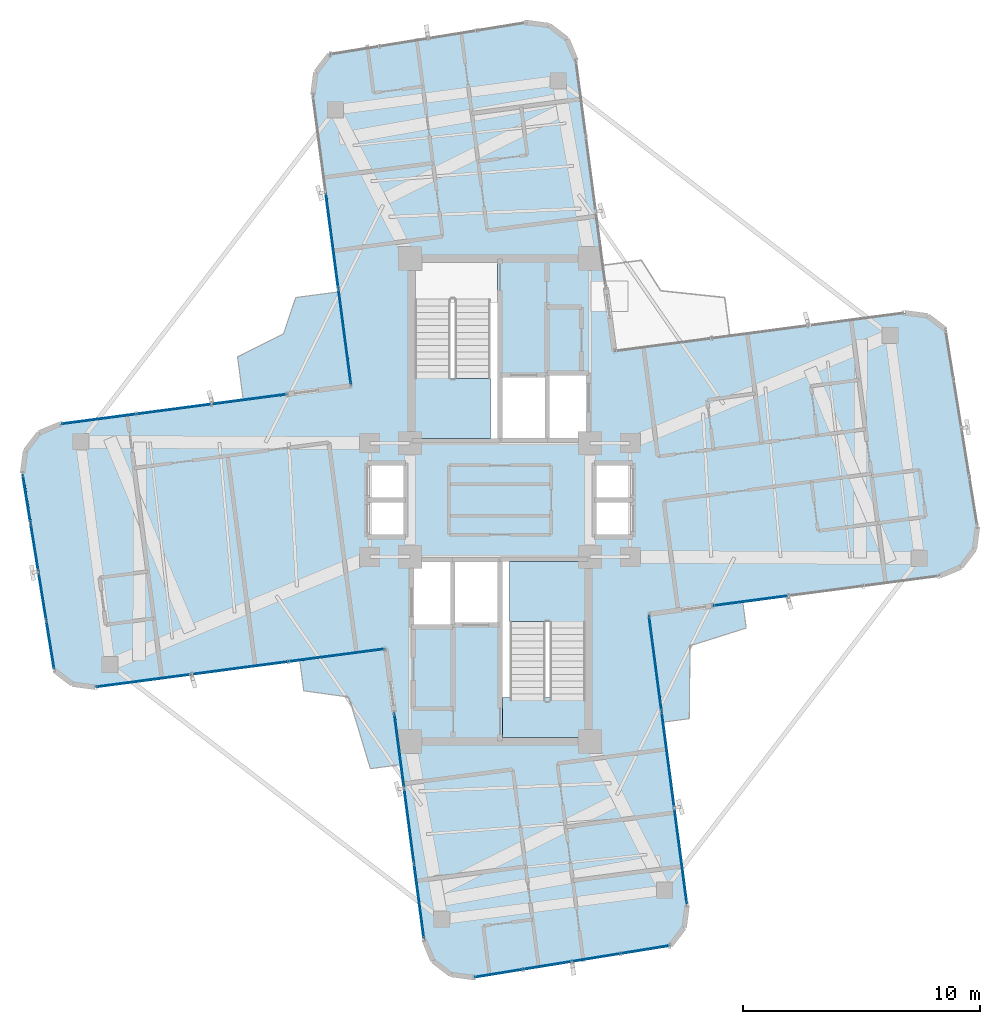
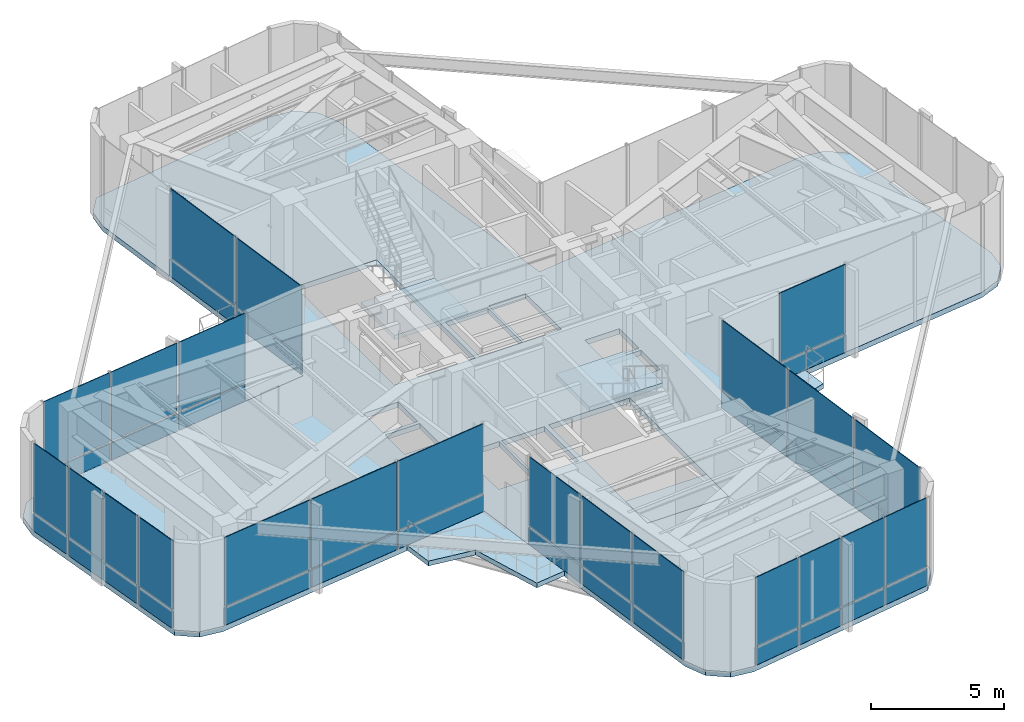
# One storey, part 12 of 18: 46 plates, 7 slabs, 10 elements without a shape of their own.
"""IFC4 building model written with IfcOpenShell, lengths in metres."""

from ifc_helpers import new_model, si_unit, direction, frame, origin, origin_2d, place, context, subcontext, project, spatial, polyline, rectangle, outline, extrude, source, transform, mapped, material, layer, layer_set, type_object, element, aggregate, save


model = new_model("IFC4")

# Units and contexts
model_context = context("Model", 3, precision=1e-05, world=origin(), true_north=direction((0.0, 1.0)))
body_context = subcontext(model_context, "Body", "Model", "MODEL_VIEW")
ifc_project = project(units=[si_unit("LENGTHUNIT", "METRE"), si_unit("AREAUNIT", "SQUARE_METRE"), si_unit("VOLUMEUNIT", "CUBIC_METRE"), si_unit("PLANEANGLEUNIT", "RADIAN"), si_unit("MASSUNIT", "GRAM", prefix="KILO")], contexts=[model_context])

# Site, building, storey
site_placement = place(None, origin())
site = spatial("IfcSite", under=ifc_project, at=site_placement, CompositionType="ELEMENT")
building_placement = place(site_placement, origin())
building = spatial("IfcBuilding", under=site, at=building_placement, Name="Sahyath Konkavel Grand Hotel", CompositionType="ELEMENT")
storey_placement = place(building_placement, frame((0.0, 0.0, 275.800048828125)))
storey = spatial("IfcBuildingStorey", under=building, at=storey_placement, Name="L77", CompositionType="ELEMENT", Elevation=275.800048828125)

# Slabs
ifc_material_1 = material(Name="Concrete C40/50", Category="concrete")
ifc_layer_1 = layer(ifc_material_1, 0.239990234375)
ifc_layer_set_1 = layer_set([ifc_layer_1], Name="Concrete C40/50")
slab_type_1 = type_object("IfcSlabType", Name="SLB-240", PredefinedType="FLOOR", material=ifc_layer_set_1)
slab_1_placement = place(storey_placement, frame((0.0, 0.0, -0.239990234375)))
element("IfcSlab", 1, at=slab_1_placement, inside=storey, type_object=slab_type_1, Name="L77 Structural Floor Slab", PredefinedType="FLOOR", context=body_context, shape_type="SweptSolid", body=[
    extrude(outline(polyline([(6.282958984375, -4.821044921875), (18.56689453125, -3.203857421875), (19.451904296875, -2.83740234375), (20.03466796875, -2.07763671875), (20.15966796875, -1.12841796875), (18.814208984375, 7.1923828125), (18.0546875, 7.775390625), (17.10498046875, 7.900390625), (4.821044921875, 6.282958984375), (3.203857421875, 18.56689453125), (2.83740234375, 19.451904296875), (2.07763671875, 20.03466796875), (1.12841796875, 20.15966796875), (-7.1923828125, 18.814208984375), (-7.775390625, 18.0546875), (-7.900390625, 17.10498046875), (-6.282958984375, 4.821044921875), (-18.56689453125, 3.203857421875), (-19.451904296875, 2.83740234375), (-20.03466796875, 2.07763671875), (-20.15966796875, 1.12841796875), (-18.814208984375, -7.1923828125), (-18.0546875, -7.775390625), (-17.10498046875, -7.900390625), (-4.821044921875, -6.282958984375), (-3.203857421875, -18.56689453125), (-2.83740234375, -19.451904296875), (-2.07763671875, -20.03466796875), (-1.12841796875, -20.15966796875), (7.1923828125, -18.814208984375), (7.775390625, -18.0546875), (7.900390625, -17.10498046875), (6.282958984375, -4.821044921875)]), holes=[polyline([(-3.6201171875, 2.580078125), (-0.10009765625, 2.580078125), (-0.10009765625, 10.02001953125), (-3.6201171875, 10.02001953125), (-3.6201171875, 2.580078125)]), polyline([(0.10009765625, -10.02001953125), (3.6201171875, -10.02001953125), (3.6201171875, -2.580078125), (0.10009765625, -2.580078125), (0.10009765625, -10.02001953125)]), polyline([(0.10009765625, 2.60009765625), (1.949951171875, 2.60009765625), (1.949951171875, 5.199951171875), (0.10009765625, 5.199951171875), (0.10009765625, 2.60009765625)]), polyline([(-1.949951171875, -5.199951171875), (-0.10009765625, -5.199951171875), (-0.10009765625, -2.60009765625), (-1.949951171875, -2.60009765625), (-1.949951171875, -5.199951171875)]), polyline([(2.050048828125, 2.60009765625), (3.64990234375, 2.60009765625), (3.64990234375, 5.300048828125), (2.050048828125, 5.300048828125), (2.050048828125, 2.60009765625)]), polyline([(-3.64990234375, -5.300048828125), (-2.050048828125, -5.300048828125), (-2.050048828125, -2.60009765625), (-3.64990234375, -2.60009765625), (-3.64990234375, -5.300048828125)]), polyline([(4.050048828125, 0.080078125), (5.550048828125, 0.080078125), (5.550048828125, 1.5400390625), (4.050048828125, 1.5400390625), (4.050048828125, 0.080078125)]), polyline([(4.050048828125, -1.5400390625), (5.550048828125, -1.5400390625), (5.550048828125, -0.080078125), (4.050048828125, -0.080078125), (4.050048828125, -1.5400390625)]), polyline([(-5.550048828125, 0.080078125), (-4.050048828125, 0.080078125), (-4.050048828125, 1.5400390625), (-5.550048828125, 1.5400390625), (-5.550048828125, 0.080078125)]), polyline([(-5.550048828125, -1.5400390625), (-4.050048828125, -1.5400390625), (-4.050048828125, -0.080078125), (-5.550048828125, -0.080078125), (-5.550048828125, -1.5400390625)])]), origin(), (0.0, 0.0, 1.0), 0.239990234375),
])
ifc_layer_2 = layer(ifc_material_1, 0.219970703125)
ifc_layer_set_2 = layer_set([ifc_layer_2], Name="Concrete C40/50")
slab_type_2 = type_object("IfcSlabType", Name="SLB-BALCONY-220", PredefinedType="FLOOR", material=ifc_layer_set_2)
slab_2_placement = place(storey_placement, frame((0.0, 0.0, -0.219970703125)))
element("IfcSlab", 2, at=slab_2_placement, inside=storey, type_object=slab_type_2, Name="L77 Winter-Garden Balcony NW", PredefinedType="FLOOR", context=body_context, shape_type="SweptSolid", body=[
    extrude(outline(polyline([(-6.282958984375, 4.821044921875), (-6.805419921875, 8.788818359375), (-8.624267578125, 8.54931640625), (-9.141845703125, 7.014892578125), (-11.081298828125, 6.039794921875), (-10.841796875, 4.220947265625), (-6.282958984375, 4.821044921875)])), origin(), (0.0, 0.0, 1.0), 0.219970703125),
])
slab_3_placement = place(storey_placement, frame((0.0, 0.0, -0.219970703125)))
element("IfcSlab", 3, at=slab_3_placement, inside=storey, type_object=slab_type_2, Name="L77 Winter-Garden Balcony SW", PredefinedType="FLOOR", context=body_context, shape_type="SweptSolid", body=[
    extrude(outline(polyline([(-4.821044921875, -6.282958984375), (-8.456787109375, -6.76171875), (-8.2861328125, -8.05810546875), (-6.384521484375, -8.320556640625), (-5.4736328125, -11.344482421875), (-4.17724609375, -11.173828125), (-4.821044921875, -6.282958984375)])), origin(), (0.0, 0.0, 1.0), 0.219970703125),
])
slab_4_placement = place(storey_placement, frame((0.0, 0.0, -0.219970703125)))
element("IfcSlab", 4, at=slab_4_placement, inside=storey, type_object=slab_type_2, Name="L77 Winter-Garden Balcony SE", PredefinedType="FLOOR", context=body_context, shape_type="SweptSolid", body=[
    extrude(outline(polyline([(6.282958984375, -4.821044921875), (6.88330078125, -9.3798828125), (7.9912109375, -9.23388671875), (8.0244140625, -6.1572265625), (10.396728515625, -5.40673828125), (10.250732421875, -4.298828125), (6.282958984375, -4.821044921875)])), origin(), (0.0, 0.0, 1.0), 0.219970703125),
])

# Stair, slab
stair_type = type_object("IfcStairType", Name="STR-ST16-450", PredefinedType="HALF_TURN_STAIR", material=ifc_material_1)
stair_1_placement = place(storey_placement, origin())
stair_1 = element("IfcStair", 5, at=stair_1_placement, inside=storey, type_object=stair_type, Name="L77 North Core Smokeproof Exit Stair ST-1", PredefinedType="HALF_TURN_STAIR")
ifc_layer_3 = layer(ifc_material_1, 0.199951171875)
ifc_layer_set_3 = layer_set([ifc_layer_3], Name="Concrete C40/50")
slab_type_3 = type_object("IfcSlabType", Name="SLB-STAIR-LND", PredefinedType="LANDING", material=ifc_layer_set_3)
slab_5_placement = place(storey_placement, frame((0.0, 0.0, 2.050048828125)))
slab_5 = element("IfcSlab", 6, at=slab_5_placement, type_object=slab_type_3, Name="ST-1 landing 1", PredefinedType="LANDING", context=body_context, shape_type="SweptSolid", body=[
    extrude(outline(polyline([(-3.60009765625, 5.1201171875), (-3.60009765625, 2.60009765625), (-0.39990234375, 2.60009765625), (-0.39990234375, 5.1201171875), (-3.60009765625, 5.1201171875)])), origin(), (0.0, 0.0, 1.0), 0.199951171875),
])
aggregate(stair_1, [slab_5])

stair_2_placement = place(storey_placement, origin())
stair_2 = element("IfcStair", 7, at=stair_2_placement, inside=storey, type_object=stair_type, Name="L77 South Core Smokeproof Exit Stair ST-2", PredefinedType="HALF_TURN_STAIR")
slab_6_placement = place(storey_placement, frame((0.0, 0.0, 2.050048828125)))
slab_6 = element("IfcSlab", 8, at=slab_6_placement, type_object=slab_type_3, Name="ST-2 landing 1", PredefinedType="LANDING", context=body_context, shape_type="SweptSolid", body=[
    extrude(outline(polyline([(3.60009765625, -5.1201171875), (3.60009765625, -2.60009765625), (0.39990234375, -2.60009765625), (0.39990234375, -5.1201171875), (3.60009765625, -5.1201171875)])), origin(), (0.0, 0.0, 1.0), 0.199951171875),
])
aggregate(stair_2, [slab_6])

# Slab
slab_7_placement = place(storey_placement, frame((0.0, 0.0, -0.199951171875)))
element("IfcSlab", 9, at=slab_7_placement, inside=storey, type_object=slab_type_3, Name="L77 Stair ST-2 Floor Landing Slab", PredefinedType="LANDING", context=body_context, shape_type="SweptSolid", body=[
    extrude(outline(polyline([(0.10009765625, -10.02001953125), (3.6201171875, -10.02001953125), (3.6201171875, -8.35009765625), (0.10009765625, -8.35009765625), (0.10009765625, -10.02001953125)])), origin(), (0.0, 0.0, 1.0), 0.199951171875),
])

# Curtain wall, plate
ifc_material_2 = material(Name="Anodised Bronze Aluminium & Low-E Glazing", Category="aluminium")
curtain_wall_type = type_object("IfcCurtainWallType", Name="CW-ZONE4", PredefinedType="NOTDEFINED", material=ifc_material_2)
curtain_wall_1_placement = place(storey_placement, origin())
curtain_wall_1 = element("IfcCurtainWall", 10, at=curtain_wall_1_placement, inside=storey, type_object=curtain_wall_type, Name="L77 Unitised Curtain Wall F0", PredefinedType="NOTDEFINED")
ifc_material_3 = material(Name="Warm Buff Sandstone Cladding", Category="masonry")
ifc_layer_4 = layer(ifc_material_3, 0.074951171875)
ifc_layer_set_4 = layer_set([ifc_layer_4], Name="Warm Buff Sandstone Cladding")
plate_type_1 = type_object("IfcPlateType", Name="PNL-SPANDREL-STONE", PredefinedType="SHEET", material=ifc_layer_set_4)
shared_shape_1 = source(origin(), body_context, "Body", "SweptSolid", [
    extrude(rectangle(XDim=3.123291015625, YDim=0.074951171875, at=origin_2d()), origin(), (0.0, 0.0, 1.0), 0.77001953125),
])
plate_1_placement = place(storey_placement, frame((10.587646484375, -4.25439453125, 0.0400390625), z_axis=(0.0, 0.0, 1.0), x_axis=(0.991444861374, 0.13052619222, 0.0)))
plate_1 = element("IfcPlate", 11, at=plate_1_placement, type_object=plate_type_1, Name="L77 Sandstone Relief Spandrel Panel F0-0", PredefinedType="SHEET", context=body_context, shape_type="MappedRepresentation", body=[
    mapped(shared_shape_1, transform((0.0, 0.0, 0.0), scale=1.0)),
])

# Curtain wall, plates
curtain_wall_2_placement = place(storey_placement, origin())
curtain_wall_2 = element("IfcCurtainWall", 12, at=curtain_wall_2_placement, inside=storey, type_object=curtain_wall_type, Name="L77 Unitised Curtain Wall F16", PredefinedType="NOTDEFINED")
plate_2_placement = place(storey_placement, frame((-10.587646484375, 4.25439453125, 0.0400390625), z_axis=(0.0, 0.0, 1.0), x_axis=(-0.991444861374, -0.13052619222, 0.0)))
plate_2 = element("IfcPlate", 13, at=plate_2_placement, type_object=plate_type_1, Name="L77 Sandstone Relief Spandrel Panel F16-0", PredefinedType="SHEET", context=body_context, shape_type="MappedRepresentation", body=[
    mapped(shared_shape_1, transform((0.0, 0.0, 0.0), scale=1.0)),
])
plate_3_placement = place(storey_placement, frame((-13.763427734375, 3.836181640625, 0.0400390625), z_axis=(0.0, 0.0, 1.0), x_axis=(-0.991444861374, -0.13052619222, 0.0)))
plate_3 = element("IfcPlate", 14, at=plate_3_placement, type_object=plate_type_1, Name="L77 Sandstone Relief Spandrel Panel F16-1", PredefinedType="SHEET", context=body_context, shape_type="MappedRepresentation", body=[
    mapped(shared_shape_1, transform((0.0, 0.0, 0.0), scale=1.0)),
])
plate_4_placement = place(storey_placement, frame((-16.939453125, 3.418212890625, 0.0400390625), z_axis=(0.0, 0.0, 1.0), x_axis=(-0.991444861374, -0.13052619222, 0.0)))
plate_4 = element("IfcPlate", 15, at=plate_4_placement, type_object=plate_type_1, Name="L77 Sandstone Relief Spandrel Panel F16-2", PredefinedType="SHEET", context=body_context, shape_type="MappedRepresentation", body=[
    mapped(shared_shape_1, transform((0.0, 0.0, 0.0), scale=1.0)),
])

curtain_wall_3_placement = place(storey_placement, origin())
curtain_wall_3 = element("IfcCurtainWall", 16, at=curtain_wall_3_placement, inside=storey, type_object=curtain_wall_type, Name="L77 Unitised Curtain Wall F24", PredefinedType="NOTDEFINED")
plate_5_placement = place(storey_placement, frame((-4.25439453125, -10.587646484375, 0.0400390625), z_axis=(0.0, 0.0, 1.0), x_axis=(0.13052619222, -0.991444861374, 0.0)))
plate_5 = element("IfcPlate", 17, at=plate_5_placement, type_object=plate_type_1, Name="L77 Sandstone Relief Spandrel Panel F24-0", PredefinedType="SHEET", context=body_context, shape_type="MappedRepresentation", body=[
    mapped(shared_shape_1, transform((0.0, 0.0, 0.0), scale=1.0)),
])
plate_6_placement = place(storey_placement, frame((-3.836181640625, -13.763427734375, 0.0400390625), z_axis=(0.0, 0.0, 1.0), x_axis=(0.13052619222, -0.991444861374, 0.0)))
plate_6 = element("IfcPlate", 18, at=plate_6_placement, type_object=plate_type_1, Name="L77 Sandstone Relief Spandrel Panel F24-1", PredefinedType="SHEET", context=body_context, shape_type="MappedRepresentation", body=[
    mapped(shared_shape_1, transform((0.0, 0.0, 0.0), scale=1.0)),
])
plate_7_placement = place(storey_placement, frame((-3.418212890625, -16.939453125, 0.0400390625), z_axis=(0.0, 0.0, 1.0), x_axis=(0.13052619222, -0.991444861374, 0.0)))
plate_7 = element("IfcPlate", 19, at=plate_7_placement, type_object=plate_type_1, Name="L77 Sandstone Relief Spandrel Panel F24-2", PredefinedType="SHEET", context=body_context, shape_type="MappedRepresentation", body=[
    mapped(shared_shape_1, transform((0.0, 0.0, 0.0), scale=1.0)),
])

curtain_wall_4_placement = place(storey_placement, origin())
curtain_wall_4 = element("IfcCurtainWall", 20, at=curtain_wall_4_placement, inside=storey, type_object=curtain_wall_type, Name="L77 Unitised Curtain Wall F20", PredefinedType="NOTDEFINED")
shared_shape_2 = source(origin(), body_context, "Body", "SweptSolid", [
    extrude(rectangle(XDim=2.007080078125, YDim=0.074951171875, at=origin_2d()), origin(), (0.0, 0.0, 1.0), 0.77001953125),
])
plate_8_placement = place(storey_placement, frame((-19.98681640625, 0.05859375, 0.0400390625), z_axis=(0.0, 0.0, 1.0), x_axis=(0.159622750546, -0.987178088041, 0.0)))
plate_8 = element("IfcPlate", 21, at=plate_8_placement, type_object=plate_type_1, Name="L77 Sandstone Relief Spandrel Panel F20-0", PredefinedType="SHEET", context=body_context, shape_type="MappedRepresentation", body=[
    mapped(shared_shape_2, transform((0.0, 0.0, 0.0), scale=1.0)),
])
plate_9_placement = place(storey_placement, frame((-19.653564453125, -2.001708984375, 0.0400390625), z_axis=(0.0, 0.0, 1.0), x_axis=(0.159622750546, -0.987178088041, 0.0)))
plate_9 = element("IfcPlate", 22, at=plate_9_placement, type_object=plate_type_1, Name="L77 Sandstone Relief Spandrel Panel F20-1", PredefinedType="SHEET", context=body_context, shape_type="MappedRepresentation", body=[
    mapped(shared_shape_2, transform((0.0, 0.0, 0.0), scale=1.0)),
])
plate_10_placement = place(storey_placement, frame((-19.3203125, -4.062255859375, 0.0400390625), z_axis=(0.0, 0.0, 1.0), x_axis=(0.159622750546, -0.987178088041, 0.0)))
plate_10 = element("IfcPlate", 23, at=plate_10_placement, type_object=plate_type_1, Name="L77 Sandstone Relief Spandrel Panel F20-2", PredefinedType="SHEET", context=body_context, shape_type="MappedRepresentation", body=[
    mapped(shared_shape_2, transform((0.0, 0.0, 0.0), scale=1.0)),
])
plate_11_placement = place(storey_placement, frame((-18.9873046875, -6.12255859375, 0.0400390625), z_axis=(0.0, 0.0, 1.0), x_axis=(0.159622750546, -0.987178088041, 0.0)))
plate_11 = element("IfcPlate", 24, at=plate_11_placement, type_object=plate_type_1, Name="L77 Sandstone Relief Spandrel Panel F20-3", PredefinedType="SHEET", context=body_context, shape_type="MappedRepresentation", body=[
    mapped(shared_shape_2, transform((0.0, 0.0, 0.0), scale=1.0)),
])

curtain_wall_5_placement = place(storey_placement, origin())
curtain_wall_5 = element("IfcCurtainWall", 25, at=curtain_wall_5_placement, inside=storey, type_object=curtain_wall_type, Name="L77 Unitised Curtain Wall F28", PredefinedType="NOTDEFINED")
plate_12_placement = place(storey_placement, frame((-0.05859375, -19.98681640625, 0.0400390625), z_axis=(0.0, 0.0, 1.0), x_axis=(0.987178088041, 0.159622750546, 0.0)))
plate_12 = element("IfcPlate", 26, at=plate_12_placement, type_object=plate_type_1, Name="L77 Sandstone Relief Spandrel Panel F28-0", PredefinedType="SHEET", context=body_context, shape_type="MappedRepresentation", body=[
    mapped(shared_shape_2, transform((0.0, 0.0, 0.0), scale=1.0)),
])
plate_13_placement = place(storey_placement, frame((2.001708984375, -19.653564453125, 0.0400390625), z_axis=(0.0, 0.0, 1.0), x_axis=(0.987178088041, 0.159622750546, 0.0)))
plate_13 = element("IfcPlate", 27, at=plate_13_placement, type_object=plate_type_1, Name="L77 Sandstone Relief Spandrel Panel F28-1", PredefinedType="SHEET", context=body_context, shape_type="MappedRepresentation", body=[
    mapped(shared_shape_2, transform((0.0, 0.0, 0.0), scale=1.0)),
])
plate_14_placement = place(storey_placement, frame((4.062255859375, -19.3203125, 0.0400390625), z_axis=(0.0, 0.0, 1.0), x_axis=(0.987178088041, 0.159622750546, 0.0)))
plate_14 = element("IfcPlate", 28, at=plate_14_placement, type_object=plate_type_1, Name="L77 Sandstone Relief Spandrel Panel F28-2", PredefinedType="SHEET", context=body_context, shape_type="MappedRepresentation", body=[
    mapped(shared_shape_2, transform((0.0, 0.0, 0.0), scale=1.0)),
])
plate_15_placement = place(storey_placement, frame((6.12255859375, -18.9873046875, 0.0400390625), z_axis=(0.0, 0.0, 1.0), x_axis=(0.987178088041, 0.159622750546, 0.0)))
plate_15 = element("IfcPlate", 29, at=plate_15_placement, type_object=plate_type_1, Name="L77 Sandstone Relief Spandrel Panel F28-3", PredefinedType="SHEET", context=body_context, shape_type="MappedRepresentation", body=[
    mapped(shared_shape_2, transform((0.0, 0.0, 0.0), scale=1.0)),
])

curtain_wall_6_placement = place(storey_placement, origin())
curtain_wall_6 = element("IfcCurtainWall", 30, at=curtain_wall_6_placement, inside=storey, type_object=curtain_wall_type, Name="L77 Unitised Curtain Wall F15", PredefinedType="NOTDEFINED")
shared_shape_3 = source(origin(), body_context, "Body", "SweptSolid", [
    extrude(rectangle(XDim=4.023193359375, YDim=0.074951171875, at=origin_2d()), origin(), (0.0, 0.0, 1.0), 0.77001953125),
])
plate_16_placement = place(storey_placement, frame((-7.091552734375, 10.963134765625, 0.0400390625), z_axis=(0.0, 0.0, 1.0), x_axis=(0.13052619222, -0.991444861374, 0.0)))
plate_16 = element("IfcPlate", 31, at=plate_16_placement, type_object=plate_type_1, Name="L77 Sandstone Relief Spandrel Panel F15-1", PredefinedType="SHEET", context=body_context, shape_type="MappedRepresentation", body=[
    mapped(shared_shape_3, transform((0.0, 0.0, 0.0), scale=1.0)),
])
plate_17_placement = place(storey_placement, frame((-6.555908203125, 6.89501953125, 0.0400390625), z_axis=(0.0, 0.0, 1.0), x_axis=(0.13052619222, -0.991444861374, 0.0)))
plate_17 = element("IfcPlate", 32, at=plate_17_placement, type_object=plate_type_1, Name="L77 Sandstone Relief Spandrel Panel F15-2", PredefinedType="SHEET", context=body_context, shape_type="MappedRepresentation", body=[
    mapped(shared_shape_3, transform((0.0, 0.0, 0.0), scale=1.0)),
])

curtain_wall_7_placement = place(storey_placement, origin())
curtain_wall_7 = element("IfcCurtainWall", 33, at=curtain_wall_7_placement, inside=storey, type_object=curtain_wall_type, Name="L77 Unitised Curtain Wall F23", PredefinedType="NOTDEFINED")
plate_18_placement = place(storey_placement, frame((-15.03125, -7.627197265625, 0.0400390625), z_axis=(0.0, 0.0, 1.0), x_axis=(0.991444861374, 0.13052619222, 0.0)))
plate_18 = element("IfcPlate", 34, at=plate_18_placement, type_object=plate_type_1, Name="L77 Sandstone Relief Spandrel Panel F23-0", PredefinedType="SHEET", context=body_context, shape_type="MappedRepresentation", body=[
    mapped(shared_shape_3, transform((0.0, 0.0, 0.0), scale=1.0)),
])
plate_19_placement = place(storey_placement, frame((-10.963134765625, -7.091552734375, 0.0400390625), z_axis=(0.0, 0.0, 1.0), x_axis=(0.991444861374, 0.13052619222, 0.0)))
plate_19 = element("IfcPlate", 35, at=plate_19_placement, type_object=plate_type_1, Name="L77 Sandstone Relief Spandrel Panel F23-1", PredefinedType="SHEET", context=body_context, shape_type="MappedRepresentation", body=[
    mapped(shared_shape_3, transform((0.0, 0.0, 0.0), scale=1.0)),
])
plate_20_placement = place(storey_placement, frame((-6.89501953125, -6.555908203125, 0.0400390625), z_axis=(0.0, 0.0, 1.0), x_axis=(0.991444861374, 0.13052619222, 0.0)))
plate_20 = element("IfcPlate", 36, at=plate_20_placement, type_object=plate_type_1, Name="L77 Sandstone Relief Spandrel Panel F23-2", PredefinedType="SHEET", context=body_context, shape_type="MappedRepresentation", body=[
    mapped(shared_shape_3, transform((0.0, 0.0, 0.0), scale=1.0)),
])

curtain_wall_8_placement = place(storey_placement, origin())
curtain_wall_8 = element("IfcCurtainWall", 37, at=curtain_wall_8_placement, inside=storey, type_object=curtain_wall_type, Name="L77 Unitised Curtain Wall F31", PredefinedType="NOTDEFINED")
plate_21_placement = place(storey_placement, frame((7.627197265625, -15.03125, 0.0400390625), z_axis=(0.0, 0.0, 1.0), x_axis=(-0.13052619222, 0.991444861374, 0.0)))
plate_21 = element("IfcPlate", 38, at=plate_21_placement, type_object=plate_type_1, Name="L77 Sandstone Relief Spandrel Panel F31-0", PredefinedType="SHEET", context=body_context, shape_type="MappedRepresentation", body=[
    mapped(shared_shape_3, transform((0.0, 0.0, 0.0), scale=1.0)),
])
plate_22_placement = place(storey_placement, frame((7.091552734375, -10.963134765625, 0.0400390625), z_axis=(0.0, 0.0, 1.0), x_axis=(-0.13052619222, 0.991444861374, 0.0)))
plate_22 = element("IfcPlate", 39, at=plate_22_placement, type_object=plate_type_1, Name="L77 Sandstone Relief Spandrel Panel F31-1", PredefinedType="SHEET", context=body_context, shape_type="MappedRepresentation", body=[
    mapped(shared_shape_3, transform((0.0, 0.0, 0.0), scale=1.0)),
])
plate_23_placement = place(storey_placement, frame((6.555908203125, -6.89501953125, 0.0400390625), z_axis=(0.0, 0.0, 1.0), x_axis=(-0.13052619222, 0.991444861374, 0.0)))
plate_23 = element("IfcPlate", 40, at=plate_23_placement, type_object=plate_type_1, Name="L77 Sandstone Relief Spandrel Panel F31-2", PredefinedType="SHEET", context=body_context, shape_type="MappedRepresentation", body=[
    mapped(shared_shape_3, transform((0.0, 0.0, 0.0), scale=1.0)),
])

# Plate
ifc_material_4 = material(Name="Low-E Solar Control Double Glazing", Category="glass")
ifc_layer_5 = layer(ifc_material_4, 0.035888671875)
ifc_layer_set_5 = layer_set([ifc_layer_5], Name="Low-E Solar Control Double Glazing")
plate_type_2 = type_object("IfcPlateType", Name="PNL-VISION-LOWE", PredefinedType="CURTAIN_PANEL", material=ifc_layer_set_5)
shared_shape_4 = source(origin(), body_context, "Body", "SweptSolid", [
    extrude(rectangle(XDim=3.123291015625, YDim=0.035888671875, at=origin_2d()), origin(), (0.0, 0.0, 1.0), 3.169921875),
])
plate_24_placement = place(storey_placement, frame((10.587646484375, -4.25439453125, 0.889892578125), z_axis=(0.0, 0.0, 1.0), x_axis=(0.991444861374, 0.13052619222, 0.0)))
plate_24 = element("IfcPlate", 41, at=plate_24_placement, type_object=plate_type_2, Name="L77 Low-E Vision Glazing Panel F0-0", PredefinedType="CURTAIN_PANEL", context=body_context, shape_type="MappedRepresentation", body=[
    mapped(shared_shape_4, transform((0.0, 0.0, 0.0), scale=1.0)),
])

aggregate(curtain_wall_1, [plate_1, plate_24])

plate_25_placement = place(storey_placement, frame((-10.587646484375, 4.25439453125, 0.889892578125), z_axis=(0.0, 0.0, 1.0), x_axis=(-0.991444861374, -0.13052619222, 0.0)))
plate_25 = element("IfcPlate", 42, at=plate_25_placement, type_object=plate_type_2, Name="L77 Low-E Vision Glazing Panel F16-0", PredefinedType="CURTAIN_PANEL", context=body_context, shape_type="MappedRepresentation", body=[
    mapped(shared_shape_4, transform((0.0, 0.0, 0.0), scale=1.0)),
])

plate_26_placement = place(storey_placement, frame((-13.763427734375, 3.836181640625, 0.889892578125), z_axis=(0.0, 0.0, 1.0), x_axis=(-0.991444861374, -0.13052619222, 0.0)))
plate_26 = element("IfcPlate", 43, at=plate_26_placement, type_object=plate_type_2, Name="L77 Low-E Vision Glazing Panel F16-1", PredefinedType="CURTAIN_PANEL", context=body_context, shape_type="MappedRepresentation", body=[
    mapped(shared_shape_4, transform((0.0, 0.0, 0.0), scale=1.0)),
])

plate_27_placement = place(storey_placement, frame((-16.939453125, 3.418212890625, 0.889892578125), z_axis=(0.0, 0.0, 1.0), x_axis=(-0.991444861374, -0.13052619222, 0.0)))
plate_27 = element("IfcPlate", 44, at=plate_27_placement, type_object=plate_type_2, Name="L77 Low-E Vision Glazing Panel F16-2", PredefinedType="CURTAIN_PANEL", context=body_context, shape_type="MappedRepresentation", body=[
    mapped(shared_shape_4, transform((0.0, 0.0, 0.0), scale=1.0)),
])

aggregate(curtain_wall_2, [plate_2, plate_25, plate_3, plate_26, plate_4, plate_27])

plate_28_placement = place(storey_placement, frame((-4.25439453125, -10.587646484375, 0.889892578125), z_axis=(0.0, 0.0, 1.0), x_axis=(0.13052619222, -0.991444861374, 0.0)))
plate_28 = element("IfcPlate", 45, at=plate_28_placement, type_object=plate_type_2, Name="L77 Low-E Vision Glazing Panel F24-0", PredefinedType="CURTAIN_PANEL", context=body_context, shape_type="MappedRepresentation", body=[
    mapped(shared_shape_4, transform((0.0, 0.0, 0.0), scale=1.0)),
])

plate_29_placement = place(storey_placement, frame((-3.836181640625, -13.763427734375, 0.889892578125), z_axis=(0.0, 0.0, 1.0), x_axis=(0.13052619222, -0.991444861374, 0.0)))
plate_29 = element("IfcPlate", 46, at=plate_29_placement, type_object=plate_type_2, Name="L77 Low-E Vision Glazing Panel F24-1", PredefinedType="CURTAIN_PANEL", context=body_context, shape_type="MappedRepresentation", body=[
    mapped(shared_shape_4, transform((0.0, 0.0, 0.0), scale=1.0)),
])

plate_30_placement = place(storey_placement, frame((-3.418212890625, -16.939453125, 0.889892578125), z_axis=(0.0, 0.0, 1.0), x_axis=(0.13052619222, -0.991444861374, 0.0)))
plate_30 = element("IfcPlate", 47, at=plate_30_placement, type_object=plate_type_2, Name="L77 Low-E Vision Glazing Panel F24-2", PredefinedType="CURTAIN_PANEL", context=body_context, shape_type="MappedRepresentation", body=[
    mapped(shared_shape_4, transform((0.0, 0.0, 0.0), scale=1.0)),
])

aggregate(curtain_wall_3, [plate_5, plate_28, plate_6, plate_29, plate_7, plate_30])

shared_shape_5 = source(origin(), body_context, "Body", "SweptSolid", [
    extrude(rectangle(XDim=2.007080078125, YDim=0.035888671875, at=origin_2d()), origin(), (0.0, 0.0, 1.0), 3.169921875),
])
plate_31_placement = place(storey_placement, frame((-19.98681640625, 0.05859375, 0.889892578125), z_axis=(0.0, 0.0, 1.0), x_axis=(0.159622750546, -0.987178088041, 0.0)))
plate_31 = element("IfcPlate", 48, at=plate_31_placement, type_object=plate_type_2, Name="L77 Low-E Vision Glazing Panel F20-0", PredefinedType="CURTAIN_PANEL", context=body_context, shape_type="MappedRepresentation", body=[
    mapped(shared_shape_5, transform((0.0, 0.0, 0.0), scale=1.0)),
])

plate_32_placement = place(storey_placement, frame((-19.653564453125, -2.001708984375, 0.889892578125), z_axis=(0.0, 0.0, 1.0), x_axis=(0.159622750546, -0.987178088041, 0.0)))
plate_32 = element("IfcPlate", 49, at=plate_32_placement, type_object=plate_type_2, Name="L77 Low-E Vision Glazing Panel F20-1", PredefinedType="CURTAIN_PANEL", context=body_context, shape_type="MappedRepresentation", body=[
    mapped(shared_shape_5, transform((0.0, 0.0, 0.0), scale=1.0)),
])

plate_33_placement = place(storey_placement, frame((-19.3203125, -4.062255859375, 0.889892578125), z_axis=(0.0, 0.0, 1.0), x_axis=(0.159622750546, -0.987178088041, 0.0)))
plate_33 = element("IfcPlate", 50, at=plate_33_placement, type_object=plate_type_2, Name="L77 Low-E Vision Glazing Panel F20-2", PredefinedType="CURTAIN_PANEL", context=body_context, shape_type="MappedRepresentation", body=[
    mapped(shared_shape_5, transform((0.0, 0.0, 0.0), scale=1.0)),
])

plate_34_placement = place(storey_placement, frame((-18.9873046875, -6.12255859375, 0.889892578125), z_axis=(0.0, 0.0, 1.0), x_axis=(0.159622750546, -0.987178088041, 0.0)))
plate_34 = element("IfcPlate", 51, at=plate_34_placement, type_object=plate_type_2, Name="L77 Low-E Vision Glazing Panel F20-3", PredefinedType="CURTAIN_PANEL", context=body_context, shape_type="MappedRepresentation", body=[
    mapped(shared_shape_5, transform((0.0, 0.0, 0.0), scale=1.0)),
])

aggregate(curtain_wall_4, [plate_8, plate_31, plate_9, plate_32, plate_10, plate_33, plate_11, plate_34])

plate_35_placement = place(storey_placement, frame((-0.05859375, -19.98681640625, 0.889892578125), z_axis=(0.0, 0.0, 1.0), x_axis=(0.987178088041, 0.159622750546, 0.0)))
plate_35 = element("IfcPlate", 52, at=plate_35_placement, type_object=plate_type_2, Name="L77 Low-E Vision Glazing Panel F28-0", PredefinedType="CURTAIN_PANEL", context=body_context, shape_type="MappedRepresentation", body=[
    mapped(shared_shape_5, transform((0.0, 0.0, 0.0), scale=1.0)),
])

plate_36_placement = place(storey_placement, frame((2.001708984375, -19.653564453125, 0.889892578125), z_axis=(0.0, 0.0, 1.0), x_axis=(0.987178088041, 0.159622750546, 0.0)))
plate_36 = element("IfcPlate", 53, at=plate_36_placement, type_object=plate_type_2, Name="L77 Low-E Vision Glazing Panel F28-1", PredefinedType="CURTAIN_PANEL", context=body_context, shape_type="MappedRepresentation", body=[
    mapped(shared_shape_5, transform((0.0, 0.0, 0.0), scale=1.0)),
])

plate_37_placement = place(storey_placement, frame((4.062255859375, -19.3203125, 0.889892578125), z_axis=(0.0, 0.0, 1.0), x_axis=(0.987178088041, 0.159622750546, 0.0)))
plate_37 = element("IfcPlate", 54, at=plate_37_placement, type_object=plate_type_2, Name="L77 Low-E Vision Glazing Panel F28-2", PredefinedType="CURTAIN_PANEL", context=body_context, shape_type="MappedRepresentation", body=[
    mapped(shared_shape_5, transform((0.0, 0.0, 0.0), scale=1.0)),
])

plate_38_placement = place(storey_placement, frame((6.12255859375, -18.9873046875, 0.889892578125), z_axis=(0.0, 0.0, 1.0), x_axis=(0.987178088041, 0.159622750546, 0.0)))
plate_38 = element("IfcPlate", 55, at=plate_38_placement, type_object=plate_type_2, Name="L77 Low-E Vision Glazing Panel F28-3", PredefinedType="CURTAIN_PANEL", context=body_context, shape_type="MappedRepresentation", body=[
    mapped(shared_shape_5, transform((0.0, 0.0, 0.0), scale=1.0)),
])

aggregate(curtain_wall_5, [plate_12, plate_35, plate_13, plate_36, plate_14, plate_37, plate_15, plate_38])

shared_shape_6 = source(origin(), body_context, "Body", "SweptSolid", [
    extrude(rectangle(XDim=4.023193359375, YDim=0.035888671875, at=origin_2d()), origin(), (0.0, 0.0, 1.0), 3.169921875),
])
plate_39_placement = place(storey_placement, frame((-7.091552734375, 10.963134765625, 0.889892578125), z_axis=(0.0, 0.0, 1.0), x_axis=(0.13052619222, -0.991444861374, 0.0)))
plate_39 = element("IfcPlate", 56, at=plate_39_placement, type_object=plate_type_2, Name="L77 Low-E Vision Glazing Panel F15-1", PredefinedType="CURTAIN_PANEL", context=body_context, shape_type="MappedRepresentation", body=[
    mapped(shared_shape_6, transform((0.0, 0.0, 0.0), scale=1.0)),
])

plate_40_placement = place(storey_placement, frame((-6.555908203125, 6.89501953125, 0.889892578125), z_axis=(0.0, 0.0, 1.0), x_axis=(0.13052619222, -0.991444861374, 0.0)))
plate_40 = element("IfcPlate", 57, at=plate_40_placement, type_object=plate_type_2, Name="L77 Low-E Vision Glazing Panel F15-2", PredefinedType="CURTAIN_PANEL", context=body_context, shape_type="MappedRepresentation", body=[
    mapped(shared_shape_6, transform((0.0, 0.0, 0.0), scale=1.0)),
])

aggregate(curtain_wall_6, [plate_16, plate_39, plate_17, plate_40])

plate_41_placement = place(storey_placement, frame((-15.03125, -7.627197265625, 0.889892578125), z_axis=(0.0, 0.0, 1.0), x_axis=(0.991444861374, 0.13052619222, 0.0)))
plate_41 = element("IfcPlate", 58, at=plate_41_placement, type_object=plate_type_2, Name="L77 Low-E Vision Glazing Panel F23-0", PredefinedType="CURTAIN_PANEL", context=body_context, shape_type="MappedRepresentation", body=[
    mapped(shared_shape_6, transform((0.0, 0.0, 0.0), scale=1.0)),
])

plate_42_placement = place(storey_placement, frame((-10.963134765625, -7.091552734375, 0.889892578125), z_axis=(0.0, 0.0, 1.0), x_axis=(0.991444861374, 0.13052619222, 0.0)))
plate_42 = element("IfcPlate", 59, at=plate_42_placement, type_object=plate_type_2, Name="L77 Low-E Vision Glazing Panel F23-1", PredefinedType="CURTAIN_PANEL", context=body_context, shape_type="MappedRepresentation", body=[
    mapped(shared_shape_6, transform((0.0, 0.0, 0.0), scale=1.0)),
])

plate_43_placement = place(storey_placement, frame((-6.89501953125, -6.555908203125, 0.889892578125), z_axis=(0.0, 0.0, 1.0), x_axis=(0.991444861374, 0.13052619222, 0.0)))
plate_43 = element("IfcPlate", 60, at=plate_43_placement, type_object=plate_type_2, Name="L77 Low-E Vision Glazing Panel F23-2", PredefinedType="CURTAIN_PANEL", context=body_context, shape_type="MappedRepresentation", body=[
    mapped(shared_shape_6, transform((0.0, 0.0, 0.0), scale=1.0)),
])

aggregate(curtain_wall_7, [plate_18, plate_41, plate_19, plate_42, plate_20, plate_43])

plate_44_placement = place(storey_placement, frame((7.627197265625, -15.03125, 0.889892578125), z_axis=(0.0, 0.0, 1.0), x_axis=(-0.13052619222, 0.991444861374, 0.0)))
plate_44 = element("IfcPlate", 61, at=plate_44_placement, type_object=plate_type_2, Name="L77 Low-E Vision Glazing Panel F31-0", PredefinedType="CURTAIN_PANEL", context=body_context, shape_type="MappedRepresentation", body=[
    mapped(shared_shape_6, transform((0.0, 0.0, 0.0), scale=1.0)),
])

plate_45_placement = place(storey_placement, frame((7.091552734375, -10.963134765625, 0.889892578125), z_axis=(0.0, 0.0, 1.0), x_axis=(-0.13052619222, 0.991444861374, 0.0)))
plate_45 = element("IfcPlate", 62, at=plate_45_placement, type_object=plate_type_2, Name="L77 Low-E Vision Glazing Panel F31-1", PredefinedType="CURTAIN_PANEL", context=body_context, shape_type="MappedRepresentation", body=[
    mapped(shared_shape_6, transform((0.0, 0.0, 0.0), scale=1.0)),
])

plate_46_placement = place(storey_placement, frame((6.555908203125, -6.89501953125, 0.889892578125), z_axis=(0.0, 0.0, 1.0), x_axis=(-0.13052619222, 0.991444861374, 0.0)))
plate_46 = element("IfcPlate", 63, at=plate_46_placement, type_object=plate_type_2, Name="L77 Low-E Vision Glazing Panel F31-2", PredefinedType="CURTAIN_PANEL", context=body_context, shape_type="MappedRepresentation", body=[
    mapped(shared_shape_6, transform((0.0, 0.0, 0.0), scale=1.0)),
])

aggregate(curtain_wall_8, [plate_21, plate_44, plate_22, plate_45, plate_23, plate_46])

save(model, "model.ifc")
